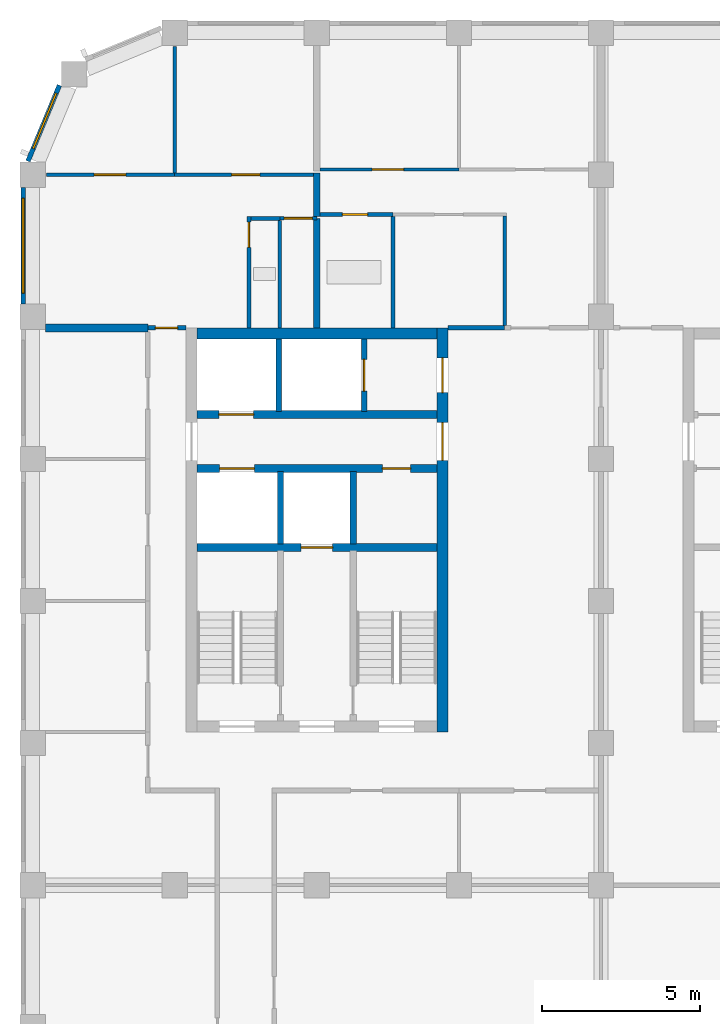
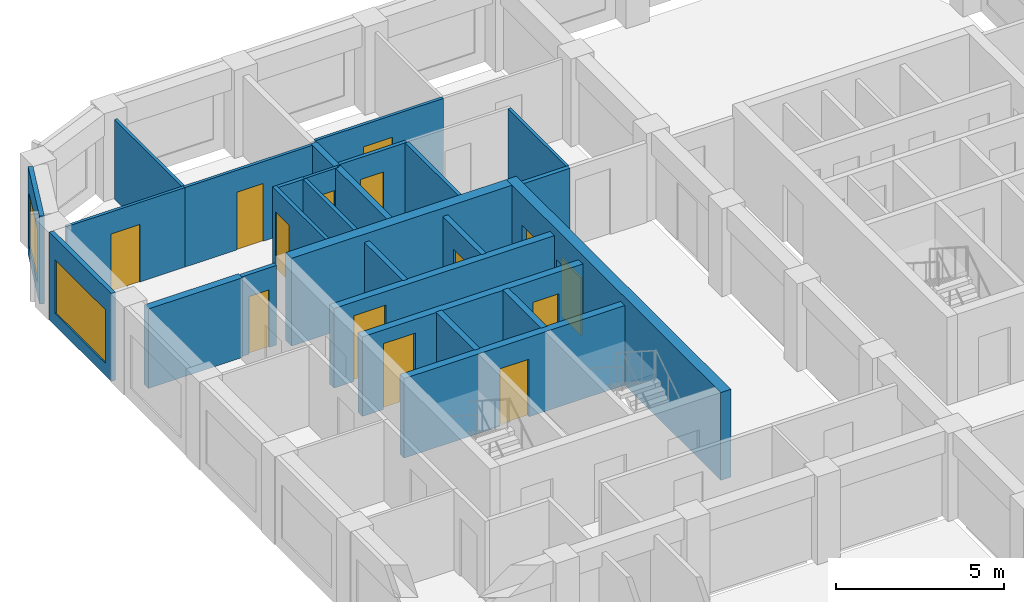
# One storey, part 5 of 9: 27 walls, 14 doors, 2 windows, 16 openings.
"""IFC4 building model written with IfcOpenShell, lengths in metres."""

from ifc_helpers import new_model, si_unit, direction, frame, frame_2d, origin, place, context, subcontext, project, spatial, rectangle, extrude, material, layer, layer_set, type_object, element, fill, save


model = new_model("IFC4")

# Units and contexts
model_context = context("Model", 3, precision=1e-05, world=origin(), true_north=direction((0.0, 1.0)))
body_context = subcontext(model_context, "Body", "Model", "MODEL_VIEW")
ifc_project = project(units=[si_unit("LENGTHUNIT", "METRE"), si_unit("AREAUNIT", "SQUARE_METRE"), si_unit("VOLUMEUNIT", "CUBIC_METRE"), si_unit("PLANEANGLEUNIT", "RADIAN"), si_unit("MASSUNIT", "GRAM", prefix="KILO")], contexts=[model_context])

# Site, building, storey
site_placement = place(None, origin())
site = spatial("IfcSite", under=ifc_project, at=site_placement, CompositionType="ELEMENT")
building_placement = place(site_placement, origin())
building = spatial("IfcBuilding", under=site, at=building_placement, Name="Girih Gate Residences", CompositionType="ELEMENT")
storey_placement = place(building_placement, frame((0.0, 0.0, 216.4951171875)))
storey = spatial("IfcBuildingStorey", under=building, at=storey_placement, Name="L60", CompositionType="ELEMENT", Elevation=216.4951171875)

# Wall
ifc_material_1 = material(Name="Gypsum board on steel studs", Category="steel")
ifc_layer_1 = layer(ifc_material_1, 0.25)
ifc_layer_set_1 = layer_set([ifc_layer_1], Name="Acoustic separating wall 250 mm")
wall_type_1 = type_object("IfcWallType", Name="Acoustic separating wall 250 mm", PredefinedType="PARTITIONING", material=ifc_layer_set_1)
wall_1_placement = place(storey_placement, frame((0.39990234375, 40.14990234375, 0.0), z_axis=(0.0, 0.0, 1.0), x_axis=(1.0, 0.0, 0.0)))
element("IfcWall", 1, at=wall_1_placement, inside=storey, type_object=wall_type_1, Name="L60 partition", PredefinedType="PARTITIONING", context=body_context, shape_type="SweptSolid", body=[
    extrude(rectangle(XDim=3.25, YDim=0.25, at=frame_2d((1.625, 0.0))), origin(), (0.0, 0.0, 1.0), 2.89990234375),
])

# Wall, opening, door
ifc_layer_2 = layer(ifc_material_1, 0.14990234375)
ifc_layer_set_2 = layer_set([ifc_layer_2], Name="Compartment wall 150 mm")
wall_type_2 = type_object("IfcWallType", Name="Compartment wall 150 mm", PredefinedType="PARTITIONING", material=ifc_layer_set_2)
wall_2_placement = place(storey_placement, frame((3.64990234375, 40.14990234375, 0.0), z_axis=(0.0, 0.0, 1.0), x_axis=(1.0, 0.0, 0.0)))
wall_2 = element("IfcWall", 2, at=wall_2_placement, inside=storey, type_object=wall_type_2, Name="L60 partition", PredefinedType="PARTITIONING", context=body_context, shape_type="SweptSolid", body=[
    extrude(rectangle(XDim=1.2001953125, YDim=0.14990234375, at=frame_2d((0.60009765625, 0.0))), origin(), (0.0, 0.0, 1.0), 2.89990234375),
])
opening_1_placement = place(wall_2_placement, frame((0.239990234375, 0.0, 0.0)))
opening_1 = element("IfcOpeningElement", 3, at=opening_1_placement, cuts=wall_2, Name="Opening A60-011", PredefinedType="OPENING", context=body_context, shape_type="SweptSolid", body=[
    extrude(rectangle(XDim=0.699951171875, YDim=2.10009765625, at=frame_2d((0.35009765625, 1.050048828125))), frame((0.0, 0.0849609375, 0.0), z_axis=(0.0, -1.0, 0.0), x_axis=(1.0, 0.0, 0.0)), (0.0, 0.0, 1.0), 0.169921875),
])
ifc_material_2 = material(Name="Timber", Category="wood")
door_type_1 = type_object("IfcDoorType", Name="Narrow door 700x2100", OperationType="NOTDEFINED", PredefinedType="DOOR", material=ifc_material_2)
door_1_placement = place(opening_1_placement, origin())
door_1 = element("IfcDoor", 4, at=door_1_placement, inside=storey, type_object=door_type_1, Name="Door A60-011", OperationType="SINGLE_SWING_LEFT", OverallHeight=2.10009765625, OverallWidth=0.699951171875, PredefinedType="DOOR", context=body_context, shape_type="SweptSolid", body=[
    extrude(rectangle(XDim=0.699951171875, YDim=2.10009765625, at=frame_2d((0.35009765625, 1.050048828125))), frame((0.0, 0.02490234375, 0.0), z_axis=(0.0, -1.0, 0.0), x_axis=(1.0, 0.0, 0.0)), (0.0, 0.0, 1.0), 0.050048828125),
])
fill(opening_1, door_1)

# Walls
wall_3_placement = place(storey_placement, frame((13.14990234375, 40.14990234375, 0.0), z_axis=(0.0, 0.0, 1.0), x_axis=(1.0, 0.0, 0.0)))
element("IfcWall", 5, at=wall_3_placement, inside=storey, type_object=wall_type_2, Name="L60 partition", PredefinedType="PARTITIONING", context=body_context, shape_type="SweptSolid", body=[
    extrude(rectangle(XDim=1.800048828125, YDim=0.14990234375, at=frame_2d((0.89990234375, 0.0))), origin(), (0.0, 0.0, 1.0), 2.89990234375),
])
ifc_material_3 = material(Name="Concrete C60/75", Category="concrete")
ifc_layer_3 = layer(ifc_material_3, 0.35009765625)
ifc_layer_set_3 = layer_set([ifc_layer_3], Name="Core wall RC 350 Concrete C60/75")
wall_type_3 = type_object("IfcWallType", Name="Core wall RC 350 Concrete C60/75", PredefinedType="SOLIDWALL", material=ifc_layer_set_3)
wall_4_placement = place(storey_placement, frame((5.199951171875, 39.97509765625, 0.0), z_axis=(0.0, 0.0, 1.0), x_axis=(1.0, 0.0, 0.0)))
element("IfcWall", 6, at=wall_4_placement, inside=storey, type_object=wall_type_3, Name="Core wall W-N L60", PredefinedType="SOLIDWALL", context=body_context, shape_type="SweptSolid", body=[
    extrude(rectangle(XDim=7.60009765625, YDim=0.35009765625, at=frame_2d((3.800048828125, 0.0))), origin(), (0.0, 0.0, 1.0), 3.199951171875),
])

# Wall, openings, doors
wall_5_placement = place(storey_placement, frame((12.97509765625, 27.35009765625, 0.0), z_axis=(0.0, 0.0, 1.0), x_axis=(0.0, 1.0, 0.0)))
wall_5 = element("IfcWall", 7, at=wall_5_placement, inside=storey, type_object=wall_type_3, Name="Core wall W-E L60", PredefinedType="SOLIDWALL", context=body_context, shape_type="SweptSolid", body=[
    extrude(rectangle(XDim=12.7998046875, YDim=0.35009765625, at=frame_2d((6.39990234375, 0.0))), origin(), (0.0, 0.0, 1.0), 3.199951171875),
])
opening_2_placement = place(wall_5_placement, frame((10.75, 0.0, 0.0)))
opening_2 = element("IfcOpeningElement", 8, at=opening_2_placement, cuts=wall_5, Name="Opening D-L60-W-011", PredefinedType="OPENING", context=body_context, shape_type="SweptSolid", body=[
    extrude(rectangle(XDim=1.10009765625, YDim=2.10009765625, at=frame_2d((0.550048828125, 1.050048828125))), frame((0.0, 0.18505859375, 0.0), z_axis=(0.0, -1.0, 0.0), x_axis=(1.0, 0.0, 0.0)), (0.0, 0.0, 1.0), 0.3701171875),
])
opening_3_placement = place(wall_5_placement, frame((8.60009765625, 0.0, 0.0)))
opening_3 = element("IfcOpeningElement", 9, at=opening_3_placement, cuts=wall_5, Name="Opening D-L60-W-013", PredefinedType="OPENING", context=body_context, shape_type="SweptSolid", body=[
    extrude(rectangle(XDim=1.199951171875, YDim=2.10009765625, at=frame_2d((0.60009765625, 1.050048828125))), frame((0.0, 0.18505859375, 0.0), z_axis=(0.0, -1.0, 0.0), x_axis=(1.0, 0.0, 0.0)), (0.0, 0.0, 1.0), 0.3701171875),
])
ifc_material_4 = material(Name="Painted steel, fire-resisting", Category="steel")
door_type_2 = type_object("IfcDoorType", Name="Fire door 1100x2100", OperationType="SINGLE_SWING_LEFT", PredefinedType="DOOR", material=ifc_material_4)
door_2_placement = place(opening_2_placement, origin())
door_2 = element("IfcDoor", 10, at=door_2_placement, inside=storey, type_object=door_type_2, Name="L60 W core door ffl2-e", OperationType="SINGLE_SWING_LEFT", OverallHeight=2.10009765625, OverallWidth=1.10009765625, PredefinedType="DOOR", context=body_context, shape_type="SweptSolid", body=[
    extrude(rectangle(XDim=1.10009765625, YDim=2.10009765625, at=frame_2d((0.550048828125, 1.050048828125))), frame((0.0, 0.02490234375, 0.0), z_axis=(0.0, -1.0, 0.0), x_axis=(1.0, 0.0, 0.0)), (0.0, 0.0, 1.0), 0.050048828125),
])
fill(opening_2, door_2)
door_type_3 = type_object("IfcDoorType", Name="Fire door 1200x2100", OperationType="SINGLE_SWING_LEFT", PredefinedType="DOOR", material=ifc_material_4)
door_3_placement = place(opening_3_placement, origin())
door_3 = element("IfcDoor", 11, at=door_3_placement, inside=storey, type_object=door_type_3, Name="L60 W core door ll-e", OperationType="SINGLE_SWING_LEFT", OverallHeight=2.10009765625, OverallWidth=1.199951171875, PredefinedType="DOOR", context=body_context, shape_type="SweptSolid", body=[
    extrude(rectangle(XDim=1.199951171875, YDim=2.10009765625, at=frame_2d((0.60009765625, 1.050048828125))), frame((0.0, 0.02490234375, 0.0), z_axis=(0.0, -1.0, 0.0), x_axis=(1.0, 0.0, 0.0)), (0.0, 0.0, 1.0), 0.050048828125),
])
fill(opening_3, door_3)

# Wall, opening, door
ifc_material_5 = material(Name="Concrete C40/50", Category="concrete")
ifc_layer_4 = layer(ifc_material_5, 0.25)
ifc_layer_set_4 = layer_set([ifc_layer_4], Name="Lift shaft wall 250")
wall_type_4 = type_object("IfcWallType", Name="Lift shaft wall 250", PredefinedType="SOLIDWALL", material=ifc_layer_set_4)
wall_6_placement = place(storey_placement, frame((5.199951171875, 33.199951171875, 0.0), z_axis=(0.0, 0.0, 1.0), x_axis=(1.0, 0.0, 0.0)))
wall_6 = element("IfcWall", 12, at=wall_6_placement, inside=storey, type_object=wall_type_4, Name="L60 W core wall H1", PredefinedType="SOLIDWALL", context=body_context, shape_type="SweptSolid", body=[
    extrude(rectangle(XDim=7.60009765625, YDim=0.25, at=frame_2d((3.800048828125, 0.0))), origin(), (0.0, 0.0, 1.0), 2.89990234375),
])
opening_4_placement = place(wall_6_placement, frame((3.300048828125, 0.0, 0.0)))
opening_4 = element("IfcOpeningElement", 13, at=opening_4_placement, cuts=wall_6, Name="Opening D-L60-W-006", PredefinedType="OPENING", context=body_context, shape_type="SweptSolid", body=[
    extrude(rectangle(XDim=1.0, YDim=2.10009765625, at=frame_2d((0.5, 1.050048828125))), frame((0.0, 0.135009765625, 0.0), z_axis=(0.0, -1.0, 0.0), x_axis=(1.0, 0.0, 0.0)), (0.0, 0.0, 1.0), 0.27001953125),
])
ifc_material_6 = material(Name="Stainless steel, fire-resisting", Category="steel")
door_type_4 = type_object("IfcDoorType", Name="Firefighting lift landing door 1000x2100", OperationType="SLIDING_TO_LEFT", PredefinedType="DOOR", material=ifc_material_6)
door_4_placement = place(opening_4_placement, origin())
door_4 = element("IfcDoor", 14, at=door_4_placement, inside=storey, type_object=door_type_4, Name="L60 lift FF-W landing door", OperationType="SLIDING_TO_LEFT", OverallHeight=2.10009765625, OverallWidth=1.0, PredefinedType="DOOR", context=body_context, shape_type="SweptSolid", body=[
    extrude(rectangle(XDim=1.0, YDim=2.10009765625, at=frame_2d((0.5, 1.050048828125))), frame((0.0, 0.02490234375, 0.0), z_axis=(0.0, -1.0, 0.0), x_axis=(1.0, 0.0, 0.0)), (0.0, 0.0, 1.0), 0.050048828125),
])
fill(opening_4, door_4)

# Wall, openings, doors
wall_7_placement = place(storey_placement, frame((5.199951171875, 35.699951171875, 0.0), z_axis=(0.0, 0.0, 1.0), x_axis=(1.0, 0.0, 0.0)))
wall_7 = element("IfcWall", 15, at=wall_7_placement, inside=storey, type_object=wall_type_4, Name="L60 W core wall H2", PredefinedType="SOLIDWALL", context=body_context, shape_type="SweptSolid", body=[
    extrude(rectangle(XDim=7.60009765625, YDim=0.25, at=frame_2d((3.800048828125, 0.0))), origin(), (0.0, 0.0, 1.0), 2.89990234375),
])
opening_5_placement = place(wall_7_placement, frame((0.72509765625, 0.0, 0.0)))
opening_5 = element("IfcOpeningElement", 16, at=opening_5_placement, cuts=wall_7, Name="Opening D-L60-W-005", PredefinedType="OPENING", context=body_context, shape_type="SweptSolid", body=[
    extrude(rectangle(XDim=1.10009765625, YDim=2.39990234375, at=frame_2d((0.550048828125, 1.199951171875))), frame((0.0, 0.135009765625, 0.0), z_axis=(0.0, -1.0, 0.0), x_axis=(1.0, 0.0, 0.0)), (0.0, 0.0, 1.0), 0.27001953125),
])
opening_6_placement = place(wall_7_placement, frame((5.875, 0.0, 0.0)))
opening_6 = element("IfcOpeningElement", 17, at=opening_6_placement, cuts=wall_7, Name="Opening D-L60-W-007", PredefinedType="OPENING", context=body_context, shape_type="SweptSolid", body=[
    extrude(rectangle(XDim=0.89990234375, YDim=2.10009765625, at=frame_2d((0.449951171875, 1.050048828125))), frame((0.0, 0.135009765625, 0.0), z_axis=(0.0, -1.0, 0.0), x_axis=(1.0, 0.0, 0.0)), (0.0, 0.0, 1.0), 0.27001953125),
])
door_type_5 = type_object("IfcDoorType", Name="Fire door 900x2100", OperationType="SINGLE_SWING_LEFT", PredefinedType="DOOR", material=ifc_material_4)
door_5_placement = place(opening_6_placement, origin())
door_5 = element("IfcDoor", 18, at=door_5_placement, inside=storey, type_object=door_type_5, Name="L60 W linen store door", OperationType="SINGLE_SWING_LEFT", OverallHeight=2.10009765625, OverallWidth=0.89990234375, PredefinedType="DOOR", context=body_context, shape_type="SweptSolid", body=[
    extrude(rectangle(XDim=0.89990234375, YDim=2.10009765625, at=frame_2d((0.449951171875, 1.050048828125))), frame((0.0, 0.02490234375, 0.0), z_axis=(0.0, -1.0, 0.0), x_axis=(1.0, 0.0, 0.0)), (0.0, 0.0, 1.0), 0.050048828125),
])
fill(opening_6, door_5)
ifc_material_7 = material(Name="Stainless steel", Category="steel")
door_type_6 = type_object("IfcDoorType", Name="Lift landing door 1100x2400", OperationType="SLIDING_TO_LEFT", PredefinedType="DOOR", material=ifc_material_7)
door_6_placement = place(opening_5_placement, origin())
door_6 = element("IfcDoor", 19, at=door_6_placement, inside=storey, type_object=door_type_6, Name="L60 lift HR-W1 landing door", OperationType="SLIDING_TO_LEFT", OverallHeight=2.39990234375, OverallWidth=1.10009765625, PredefinedType="DOOR", context=body_context, shape_type="SweptSolid", body=[
    extrude(rectangle(XDim=1.10009765625, YDim=2.39990234375, at=frame_2d((0.550048828125, 1.199951171875))), frame((0.0, 0.02490234375, 0.0), z_axis=(0.0, -1.0, 0.0), x_axis=(1.0, 0.0, 0.0)), (0.0, 0.0, 1.0), 0.050048828125),
])
fill(opening_5, door_6)

# Wall, opening, door
wall_8_placement = place(storey_placement, frame((5.199951171875, 37.39990234375, 0.0), z_axis=(0.0, 0.0, 1.0), x_axis=(1.0, 0.0, 0.0)))
wall_8 = element("IfcWall", 20, at=wall_8_placement, inside=storey, type_object=wall_type_4, Name="L60 W core wall H3", PredefinedType="SOLIDWALL", context=body_context, shape_type="SweptSolid", body=[
    extrude(rectangle(XDim=7.60009765625, YDim=0.25, at=frame_2d((3.800048828125, 0.0))), origin(), (0.0, 0.0, 1.0), 2.89990234375),
])
opening_7_placement = place(wall_8_placement, frame((0.699951171875, 0.0, 0.0)))
opening_7 = element("IfcOpeningElement", 21, at=opening_7_placement, cuts=wall_8, Name="Opening D-L60-W-003", PredefinedType="OPENING", context=body_context, shape_type="SweptSolid", body=[
    extrude(rectangle(XDim=1.10009765625, YDim=2.39990234375, at=frame_2d((0.550048828125, 1.199951171875))), frame((0.0, 0.135009765625, 0.0), z_axis=(0.0, -1.0, 0.0), x_axis=(1.0, 0.0, 0.0)), (0.0, 0.0, 1.0), 0.27001953125),
])
door_7_placement = place(opening_7_placement, origin())
door_7 = element("IfcDoor", 22, at=door_7_placement, inside=storey, type_object=door_type_6, Name="L60 lift LR-W1 landing door", OperationType="SLIDING_TO_LEFT", OverallHeight=2.39990234375, OverallWidth=1.10009765625, PredefinedType="DOOR", context=body_context, shape_type="SweptSolid", body=[
    extrude(rectangle(XDim=1.10009765625, YDim=2.39990234375, at=frame_2d((0.550048828125, 1.199951171875))), frame((0.0, 0.02490234375, 0.0), z_axis=(0.0, -1.0, 0.0), x_axis=(1.0, 0.0, 0.0)), (0.0, 0.0, 1.0), 0.050048828125),
])
fill(opening_7, door_7)

ifc_layer_5 = layer(ifc_material_1, 0.10009765625)
ifc_layer_set_5 = layer_set([ifc_layer_5], Name="Partition 100 mm")
wall_type_5 = type_object("IfcWallType", Name="Partition 100 mm", PredefinedType="PARTITIONING", material=ifc_layer_set_5)
wall_9_placement = place(storey_placement, frame((4.5, 45.0, 0.0), z_axis=(0.0, 0.0, 1.0), x_axis=(1.0, 0.0, 0.0)))
wall_9 = element("IfcWall", 23, at=wall_9_placement, inside=storey, type_object=wall_type_5, Name="L60 partition", PredefinedType="PARTITIONING", context=body_context, shape_type="SweptSolid", body=[
    extrude(rectangle(XDim=4.39990234375, YDim=0.10009765625, at=frame_2d((2.199951171875, 0.0))), origin(), (0.0, 0.0, 1.0), 2.89990234375),
])
opening_8_placement = place(wall_9_placement, frame((1.800048828125, 0.0, 0.0)))
opening_8 = element("IfcOpeningElement", 24, at=opening_8_placement, cuts=wall_9, Name="Opening A60-008", PredefinedType="OPENING", context=body_context, shape_type="SweptSolid", body=[
    extrude(rectangle(XDim=0.89990234375, YDim=2.10009765625, at=frame_2d((0.449951171875, 1.050048828125))), frame((0.0, 0.06005859375, 0.0), z_axis=(0.0, -1.0, 0.0), x_axis=(1.0, 0.0, 0.0)), (0.0, 0.0, 1.0), 0.1201171875),
])
door_type_7 = type_object("IfcDoorType", Name="Bedroom door 900x2100", OperationType="NOTDEFINED", PredefinedType="DOOR", material=ifc_material_2)
door_8_placement = place(opening_8_placement, origin())
door_8 = element("IfcDoor", 25, at=door_8_placement, inside=storey, type_object=door_type_7, Name="Door A60-008", OperationType="SINGLE_SWING_RIGHT", OverallHeight=2.10009765625, OverallWidth=0.89990234375, PredefinedType="DOOR", context=body_context, shape_type="SweptSolid", body=[
    extrude(rectangle(XDim=0.89990234375, YDim=2.10009765625, at=frame_2d((0.449951171875, 1.050048828125))), frame((0.0, 0.02490234375, 0.0), z_axis=(0.0, -1.0, 0.0), x_axis=(1.0, 0.0, 0.0)), (0.0, 0.0, 1.0), 0.050048828125),
])
fill(opening_8, door_8)

# Wall
wall_10_placement = place(storey_placement, frame((4.5, 45.050048828125, 0.0), z_axis=(0.0, 0.0, 1.0), x_axis=(0.0, 1.0, 0.0)))
element("IfcWall", 26, at=wall_10_placement, inside=storey, type_object=wall_type_5, Name="L60 partition", PredefinedType="PARTITIONING", context=body_context, shape_type="SweptSolid", body=[
    extrude(rectangle(XDim=4.01708984375, YDim=0.10009765625, at=frame_2d((2.008544921875, 0.0))), origin(), (0.0, 0.0, 1.0), 2.89990234375),
])

# Wall, opening, door
wall_11_placement = place(storey_placement, frame((9.0, 43.6201171875, 0.0), z_axis=(0.0, 0.0, 1.0), x_axis=(-1.0, 0.0, 0.0)))
wall_11 = element("IfcWall", 27, at=wall_11_placement, inside=storey, type_object=wall_type_5, Name="L60 partition", PredefinedType="PARTITIONING", context=body_context, shape_type="SweptSolid", body=[
    extrude(rectangle(XDim=1.172607421875, YDim=0.10009765625, at=frame_2d((0.58642578125, 0.0))), origin(), (0.0, 0.0, 1.0), 2.89990234375),
])
opening_9_placement = place(wall_11_placement, frame((0.136474609375, 0.0, 0.0)))
opening_9 = element("IfcOpeningElement", 28, at=opening_9_placement, cuts=wall_11, Name="Opening A60-009", PredefinedType="OPENING", context=body_context, shape_type="SweptSolid", body=[
    extrude(rectangle(XDim=0.89990234375, YDim=2.10009765625, at=frame_2d((0.449951171875, 1.050048828125))), frame((0.0, 0.06005859375, 0.0), z_axis=(0.0, -1.0, 0.0), x_axis=(1.0, 0.0, 0.0)), (0.0, 0.0, 1.0), 0.1201171875),
])
door_type_8 = type_object("IfcDoorType", Name="Kitchen door 900x2100", OperationType="NOTDEFINED", PredefinedType="DOOR", material=ifc_material_2)
door_9_placement = place(opening_9_placement, origin())
door_9 = element("IfcDoor", 29, at=door_9_placement, inside=storey, type_object=door_type_8, Name="Door A60-009", OperationType="SINGLE_SWING_RIGHT", OverallHeight=2.10009765625, OverallWidth=0.89990234375, PredefinedType="DOOR", context=body_context, shape_type="SweptSolid", body=[
    extrude(rectangle(XDim=0.89990234375, YDim=2.10009765625, at=frame_2d((0.449951171875, 1.050048828125))), frame((0.0, 0.02490234375, 0.0), z_axis=(0.0, -1.0, 0.0), x_axis=(1.0, 0.0, 0.0)), (0.0, 0.0, 1.0), 0.050048828125),
])
fill(opening_9, door_9)

wall_12_placement = place(storey_placement, frame((0.432861328125, 45.0, 0.0), z_axis=(0.0, 0.0, 1.0), x_axis=(1.0, 0.0, 0.0)))
wall_12 = element("IfcWall", 30, at=wall_12_placement, inside=storey, type_object=wall_type_5, Name="L60 partition", PredefinedType="PARTITIONING", context=body_context, shape_type="SweptSolid", body=[
    extrude(rectangle(XDim=4.067138671875, YDim=0.10009765625, at=frame_2d((2.03369140625, 0.0))), origin(), (0.0, 0.0, 1.0), 2.89990234375),
])
opening_10_placement = place(wall_12_placement, frame((1.51708984375, 0.0, 0.0)))
opening_10 = element("IfcOpeningElement", 31, at=opening_10_placement, cuts=wall_12, Name="Opening A60-010", PredefinedType="OPENING", context=body_context, shape_type="SweptSolid", body=[
    extrude(rectangle(XDim=1.0, YDim=2.10009765625, at=frame_2d((0.5, 1.050048828125))), frame((0.0, 0.06005859375, 0.0), z_axis=(0.0, -1.0, 0.0), x_axis=(1.0, 0.0, 0.0)), (0.0, 0.0, 1.0), 0.1201171875),
])
door_type_9 = type_object("IfcDoorType", Name="Living room door 1000x2100", OperationType="NOTDEFINED", PredefinedType="DOOR", material=ifc_material_2)
door_10_placement = place(opening_10_placement, origin())
door_10 = element("IfcDoor", 32, at=door_10_placement, inside=storey, type_object=door_type_9, Name="Door A60-010", OperationType="SINGLE_SWING_LEFT", OverallHeight=2.10009765625, OverallWidth=1.0, PredefinedType="DOOR", context=body_context, shape_type="SweptSolid", body=[
    extrude(rectangle(XDim=1.0, YDim=2.10009765625, at=frame_2d((0.5, 1.050048828125))), frame((0.0, 0.02490234375, 0.0), z_axis=(0.0, -1.0, 0.0), x_axis=(1.0, 0.0, 0.0)), (0.0, 0.0, 1.0), 0.050048828125),
])
fill(opening_10, door_10)

# Wall
wall_13_placement = place(storey_placement, frame((14.949951171875, 40.22509765625, 0.0), z_axis=(0.0, 0.0, 1.0), x_axis=(0.0, 1.0, 0.0)))
element("IfcWall", 33, at=wall_13_placement, inside=storey, type_object=wall_type_5, Name="L60 partition", PredefinedType="PARTITIONING", context=body_context, shape_type="SweptSolid", body=[
    extrude(rectangle(XDim=3.46484375, YDim=0.10009765625, at=frame_2d((1.732421875, 0.0))), origin(), (0.0, 0.0, 1.0), 2.89990234375),
])

# Wall, opening, door
wall_14_placement = place(storey_placement, frame((9.10009765625, 45.159912109375, 0.0), z_axis=(0.0, 0.0, 1.0), x_axis=(1.0, 0.0, 0.0)))
wall_14 = element("IfcWall", 34, at=wall_14_placement, inside=storey, type_object=wall_type_5, Name="L60 partition", PredefinedType="PARTITIONING", context=body_context, shape_type="SweptSolid", body=[
    extrude(rectangle(XDim=4.39990234375, YDim=0.10009765625, at=frame_2d((2.199951171875, 0.0))), origin(), (0.0, 0.0, 1.0), 2.89990234375),
])
opening_11_placement = place(wall_14_placement, frame((1.64990234375, 0.0, 0.0)))
opening_11 = element("IfcOpeningElement", 35, at=opening_11_placement, cuts=wall_14, Name="Opening A60-015", PredefinedType="OPENING", context=body_context, shape_type="SweptSolid", body=[
    extrude(rectangle(XDim=1.0, YDim=2.10009765625, at=frame_2d((0.5, 1.050048828125))), frame((0.0, 0.06005859375, 0.0), z_axis=(0.0, -1.0, 0.0), x_axis=(1.0, 0.0, 0.0)), (0.0, 0.0, 1.0), 0.1201171875),
])
door_11_placement = place(opening_11_placement, origin())
door_11 = element("IfcDoor", 36, at=door_11_placement, inside=storey, type_object=door_type_9, Name="Door A60-015", OperationType="SINGLE_SWING_LEFT", OverallHeight=2.10009765625, OverallWidth=1.0, PredefinedType="DOOR", context=body_context, shape_type="SweptSolid", body=[
    extrude(rectangle(XDim=1.0, YDim=2.10009765625, at=frame_2d((0.5, 1.050048828125))), frame((0.0, 0.02490234375, 0.0), z_axis=(0.0, -1.0, 0.0), x_axis=(1.0, 0.0, 0.0)), (0.0, 0.0, 1.0), 0.050048828125),
])
fill(opening_11, door_11)

# Walls
ifc_layer_6 = layer(ifc_material_1, 0.199951171875)
ifc_layer_set_6 = layer_set([ifc_layer_6], Name="Party wall 200 mm")
wall_type_6 = type_object("IfcWallType", Name="Party wall 200 mm", PredefinedType="PARTITIONING", material=ifc_layer_set_6)
wall_15_placement = place(storey_placement, frame((9.0, 43.677490234375, 0.0), z_axis=(0.0, 0.0, 1.0), x_axis=(0.0, 1.0, 0.0)))
element("IfcWall", 37, at=wall_15_placement, inside=storey, type_object=wall_type_6, Name="L60 partition", PredefinedType="PARTITIONING", context=body_context, shape_type="SweptSolid", body=[
    extrude(rectangle(XDim=1.37255859375, YDim=0.199951171875, at=frame_2d((0.686279296875, 0.0))), origin(), (0.0, 0.0, 1.0), 2.89990234375),
])
wall_16_placement = place(storey_placement, frame((9.0, 40.14990234375, 0.0), z_axis=(0.0, 0.0, 1.0), x_axis=(0.0, 1.0, 0.0)))
element("IfcWall", 38, at=wall_16_placement, inside=storey, type_object=wall_type_6, Name="L60 partition", PredefinedType="PARTITIONING", context=body_context, shape_type="SweptSolid", body=[
    extrude(rectangle(XDim=3.47021484375, YDim=0.199951171875, at=frame_2d((1.735107421875, 0.0))), origin(), (0.0, 0.0, 1.0), 2.89990234375),
])

# Wall, opening, window
ifc_material_8 = material(Name="Precast concrete C50/60", Category="concrete")
ifc_layer_7 = layer(ifc_material_8, 0.050048828125, Name="Outer leaf")
ifc_material_9 = material(Name="Rigid PIR insulation")
ifc_layer_8 = layer(ifc_material_9, 0.06005859375, Name="Insulation")
ifc_material_10 = material(Name="Precast concrete C40/50", Category="concrete")
ifc_layer_9 = layer(ifc_material_10, 0.0400390625, Name="Inner leaf")
ifc_layer_set_7 = layer_set([ifc_layer_7, ifc_layer_8, ifc_layer_9], Name="Precast concrete C50/60 external wall 150")
wall_type_7 = type_object("IfcWallType", Name="Precast concrete C50/60 external wall 150", PredefinedType="SOLIDWALL", material=ifc_layer_set_7)
wall_17_placement = place(storey_placement, frame((-0.147216796875, 45.4287109375, 0.0), z_axis=(0.0, 0.0, 1.0), x_axis=(0.382669406082, 0.923885342263, 0.0)))
wall_17 = element("IfcWall", 39, at=wall_17_placement, inside=storey, type_object=wall_type_7, Name="External wall NW0013_0482.0", PredefinedType="SOLIDWALL", context=body_context, shape_type="SweptSolid", body=[
    extrude(rectangle(XDim=2.602294921875, YDim=0.14990234375, at=frame_2d((1.30126953125, 0.0))), origin(), (0.0, 0.0, 1.0), 3.199951171875),
])
opening_12_placement = place(wall_17_placement, frame((0.432373046875, 0.0, 0.449951171875)))
opening_12 = element("IfcOpeningElement", 40, at=opening_12_placement, cuts=wall_17, Name="Opening W-2G", PredefinedType="OPENING", context=body_context, shape_type="SweptSolid", body=[
    extrude(rectangle(XDim=1.89990234375, YDim=1.949951171875, at=frame_2d((0.949951171875, 0.97509765625))), frame((0.0, 0.0849609375, 0.0), z_axis=(0.0, -1.0, 0.0), x_axis=(1.0, 0.0, 0.0)), (0.0, 0.0, 1.0), 0.169921875),
])
ifc_material_11 = material(Name="Double glazing in aluminium frame", Category="aluminium")
window_type_1 = type_object("IfcWindowType", Name="Window W-2G 1900x1950", PartitioningType="SINGLE_PANEL", PredefinedType="WINDOW", material=ifc_material_11)
window_1_placement = place(opening_12_placement, origin())
window_1 = element("IfcWindow", 41, at=window_1_placement, inside=storey, type_object=window_type_1, Name="Window W-2G NW0013_0482.0", OverallHeight=1.949951171875, OverallWidth=1.89990234375, PartitioningType="SINGLE_PANEL", PredefinedType="WINDOW", context=body_context, shape_type="SweptSolid", body=[
    extrude(rectangle(XDim=1.89990234375, YDim=1.949951171875, at=frame_2d((0.949951171875, 0.97509765625))), frame((0.0, 0.030029296875, 0.0), z_axis=(0.0, -1.0, 0.0), x_axis=(1.0, 0.0, 0.0)), (0.0, 0.0, 1.0), 0.06005859375),
])
fill(opening_12, window_1)

wall_18_placement = place(storey_placement, frame((-0.300048828125, 40.89990234375, 0.0), z_axis=(0.0, 0.0, 1.0), x_axis=(0.0, 1.0, 0.0)))
wall_18 = element("IfcWall", 42, at=wall_18_placement, inside=storey, type_object=wall_type_7, Name="External wall W0000_0450.0", PredefinedType="SOLIDWALL", context=body_context, shape_type="SweptSolid", body=[
    extrude(rectangle(XDim=3.7001953125, YDim=0.14990234375, at=frame_2d((1.85009765625, 0.0))), origin(), (0.0, 0.0, 1.0), 3.199951171875),
])
opening_13_placement = place(wall_18_placement, frame((0.35009765625, 0.0, 0.449951171875)))
opening_13 = element("IfcOpeningElement", 43, at=opening_13_placement, cuts=wall_18, Name="Opening W-1D", PredefinedType="OPENING", context=body_context, shape_type="SweptSolid", body=[
    extrude(rectangle(XDim=3.0, YDim=1.949951171875, at=frame_2d((1.5, 0.97509765625))), frame((0.0, 0.0849609375, 0.0), z_axis=(0.0, -1.0, 0.0), x_axis=(1.0, 0.0, 0.0)), (0.0, 0.0, 1.0), 0.169921875),
])
window_type_2 = type_object("IfcWindowType", Name="Window W-1D 3000x1950", PartitioningType="SINGLE_PANEL", PredefinedType="WINDOW", material=ifc_material_11)
window_2_placement = place(opening_13_placement, origin())
window_2 = element("IfcWindow", 44, at=window_2_placement, inside=storey, type_object=window_type_2, Name="Window W-1D W0000_0450.0", OverallHeight=1.949951171875, OverallWidth=3.0, PartitioningType="SINGLE_PANEL", PredefinedType="WINDOW", context=body_context, shape_type="SweptSolid", body=[
    extrude(rectangle(XDim=3.0, YDim=1.949951171875, at=frame_2d((1.5, 0.97509765625))), frame((0.0, 0.030029296875, 0.0), z_axis=(0.0, -1.0, 0.0), x_axis=(1.0, 0.0, 0.0)), (0.0, 0.0, 1.0), 0.06005859375),
])
fill(opening_13, window_2)

# Wall
ifc_layer_10 = layer(ifc_material_5, 0.175048828125)
ifc_layer_set_8 = layer_set([ifc_layer_10], Name="Riser shaft wall 175")
wall_type_8 = type_object("IfcWallType", Name="Riser shaft wall 175", PredefinedType="SOLIDWALL", material=ifc_layer_set_8)
wall_19_placement = place(storey_placement, frame((7.800048828125, 37.5, 0.0), z_axis=(0.0, 0.0, 1.0), x_axis=(0.0, 1.0, 0.0)))
element("IfcWall", 45, at=wall_19_placement, inside=storey, type_object=wall_type_8, Name="L60 W core wall V1c", PredefinedType="SOLIDWALL", context=body_context, shape_type="SweptSolid", body=[
    extrude(rectangle(XDim=2.300048828125, YDim=0.175048828125, at=frame_2d((1.14990234375, 0.0))), origin(), (0.0, 0.0, 1.0), 2.89990234375),
])

# Wall, opening, door
wall_20_placement = place(storey_placement, frame((10.5, 37.5, 0.0), z_axis=(0.0, 0.0, 1.0), x_axis=(0.0, 1.0, 0.0)))
wall_20 = element("IfcWall", 46, at=wall_20_placement, inside=storey, type_object=wall_type_8, Name="L60 W core wall V2c", PredefinedType="SOLIDWALL", context=body_context, shape_type="SweptSolid", body=[
    extrude(rectangle(XDim=2.300048828125, YDim=0.175048828125, at=frame_2d((1.14990234375, 0.0))), origin(), (0.0, 0.0, 1.0), 2.89990234375),
])
opening_14_placement = place(wall_20_placement, frame((0.64990234375, 0.0, 0.0)))
opening_14 = element("IfcOpeningElement", 47, at=opening_14_placement, cuts=wall_20, Name="Opening D-L60-W-004", PredefinedType="OPENING", context=body_context, shape_type="SweptSolid", body=[
    extrude(rectangle(XDim=1.0, YDim=2.10009765625, at=frame_2d((0.5, 1.050048828125))), frame((0.0, 0.097412109375, 0.0), z_axis=(0.0, -1.0, 0.0), x_axis=(1.0, 0.0, 0.0)), (0.0, 0.0, 1.0), 0.195068359375),
])
door_12_placement = place(opening_14_placement, origin())
door_12 = element("IfcDoor", 48, at=door_12_placement, inside=storey, type_object=door_type_4, Name="L60 lift FF-W2 landing door", OperationType="SLIDING_TO_LEFT", OverallHeight=2.10009765625, OverallWidth=1.0, PredefinedType="DOOR", context=body_context, shape_type="SweptSolid", body=[
    extrude(rectangle(XDim=1.0, YDim=2.10009765625, at=frame_2d((0.5, 1.050048828125))), frame((0.0, 0.02490234375, 0.0), z_axis=(0.0, -1.0, 0.0), x_axis=(1.0, 0.0, 0.0)), (0.0, 0.0, 1.0), 0.050048828125),
])
fill(opening_14, door_12)

# Walls
ifc_layer_11 = layer(ifc_material_5, 0.199951171875)
ifc_layer_set_9 = layer_set([ifc_layer_11], Name="Shaft wall 200")
wall_type_9 = type_object("IfcWallType", Name="Shaft wall 200", PredefinedType="SOLIDWALL", material=ifc_layer_set_9)
for number, where, z_axis, x_axis, name in (
    (49, (7.85009765625, 33.300048828125, 0.0), (0.0, 0.0, 1.0), (0.0, 1.0, 0.0), "L60 W core wall V1b"),
    (50, (10.14990234375, 33.300048828125, 0.0), (0.0, 0.0, 1.0), (0.0, 1.0, 0.0), "L60 W core wall V2b"),
):
    element("IfcWall", number, at=place(storey_placement, frame(where, z_axis=z_axis, x_axis=x_axis)), inside=storey, type_object=wall_type_9, Name=name, PredefinedType="SOLIDWALL", context=body_context, shape_type="SweptSolid", body=[
        extrude(rectangle(XDim=2.300048828125, YDim=0.199951171875, at=frame_2d((1.14990234375, 0.0))), origin(), (0.0, 0.0, 1.0), 2.89990234375),
    ])

# Wall, opening, door
ifc_layer_12 = layer(ifc_material_1, 0.125)
ifc_layer_set_10 = layer_set([ifc_layer_12], Name="Wet room wall 125 mm")
wall_type_10 = type_object("IfcWallType", Name="Wet room wall 125 mm", PredefinedType="PARTITIONING", material=ifc_layer_set_10)
wall_21_placement = place(storey_placement, frame((6.85009765625, 43.6826171875, 0.0), z_axis=(0.0, 0.0, 1.0), x_axis=(0.0, -1.0, 0.0)))
wall_21 = element("IfcWall", 51, at=wall_21_placement, inside=storey, type_object=wall_type_10, Name="L60 partition", PredefinedType="PARTITIONING", context=body_context, shape_type="SweptSolid", body=[
    extrude(rectangle(XDim=3.53271484375, YDim=0.125, at=frame_2d((1.766357421875, 0.0))), origin(), (0.0, 0.0, 1.0), 2.89990234375),
])
opening_15_placement = place(wall_21_placement, frame((0.1826171875, 0.0, 0.0)))
opening_15 = element("IfcOpeningElement", 52, at=opening_15_placement, cuts=wall_21, Name="Opening A60-007", PredefinedType="OPENING", context=body_context, shape_type="SweptSolid", body=[
    extrude(rectangle(XDim=0.800048828125, YDim=2.10009765625, at=frame_2d((0.39990234375, 1.050048828125))), frame((0.0, 0.072509765625, 0.0), z_axis=(0.0, -1.0, 0.0), x_axis=(1.0, 0.0, 0.0)), (0.0, 0.0, 1.0), 0.14501953125),
])
door_type_10 = type_object("IfcDoorType", Name="Bathroom door 800x2100", OperationType="NOTDEFINED", PredefinedType="DOOR", material=ifc_material_2)
door_13_placement = place(opening_15_placement, origin())
door_13 = element("IfcDoor", 53, at=door_13_placement, inside=storey, type_object=door_type_10, Name="Door A60-007", OperationType="SINGLE_SWING_LEFT", OverallHeight=2.10009765625, OverallWidth=0.800048828125, PredefinedType="DOOR", context=body_context, shape_type="SweptSolid", body=[
    extrude(rectangle(XDim=0.800048828125, YDim=2.10009765625, at=frame_2d((0.39990234375, 1.050048828125))), frame((0.0, 0.02490234375, 0.0), z_axis=(0.0, -1.0, 0.0), x_axis=(1.0, 0.0, 0.0)), (0.0, 0.0, 1.0), 0.050048828125),
])
fill(opening_15, door_13)

# Walls
wall_22_placement = place(storey_placement, frame((6.91259765625, 43.6201171875, 0.0), z_axis=(0.0, 0.0, 1.0), x_axis=(1.0, 0.0, 0.0)))
element("IfcWall", 54, at=wall_22_placement, inside=storey, type_object=wall_type_10, Name="L60 partition", PredefinedType="PARTITIONING", context=body_context, shape_type="SweptSolid", body=[
    extrude(rectangle(XDim=0.914794921875, YDim=0.125, at=frame_2d((0.45751953125, 0.0))), origin(), (0.0, 0.0, 1.0), 2.89990234375),
])
wall_23_placement = place(storey_placement, frame((7.826904296875, 40.14990234375, 0.0), z_axis=(0.0, 0.0, 1.0), x_axis=(0.0, 1.0, 0.0)))
element("IfcWall", 55, at=wall_23_placement, inside=storey, type_object=wall_type_10, Name="L60 partition", PredefinedType="PARTITIONING", context=body_context, shape_type="SweptSolid", body=[
    extrude(rectangle(XDim=3.40771484375, YDim=0.125, at=frame_2d((1.703857421875, 0.0))), origin(), (0.0, 0.0, 1.0), 2.89990234375),
])

# Wall, opening, door
wall_24_placement = place(storey_placement, frame((11.418212890625, 43.739990234375, 0.0), z_axis=(0.0, 0.0, 1.0), x_axis=(-1.0, 0.0, 0.0)))
wall_24 = element("IfcWall", 56, at=wall_24_placement, inside=storey, type_object=wall_type_10, Name="L60 partition", PredefinedType="PARTITIONING", context=body_context, shape_type="SweptSolid", body=[
    extrude(rectangle(XDim=2.318115234375, YDim=0.125, at=frame_2d((1.1591796875, 0.0))), origin(), (0.0, 0.0, 1.0), 2.89990234375),
])
opening_16_placement = place(wall_24_placement, frame((0.80908203125, 0.0, 0.0)))
opening_16 = element("IfcOpeningElement", 57, at=opening_16_placement, cuts=wall_24, Name="Opening A60-012", PredefinedType="OPENING", context=body_context, shape_type="SweptSolid", body=[
    extrude(rectangle(XDim=0.800048828125, YDim=2.10009765625, at=frame_2d((0.39990234375, 1.050048828125))), frame((0.0, 0.072509765625, 0.0), z_axis=(0.0, -1.0, 0.0), x_axis=(1.0, 0.0, 0.0)), (0.0, 0.0, 1.0), 0.14501953125),
])
door_14_placement = place(opening_16_placement, origin())
door_14 = element("IfcDoor", 58, at=door_14_placement, inside=storey, type_object=door_type_10, Name="Door A60-012", OperationType="SINGLE_SWING_RIGHT", OverallHeight=2.10009765625, OverallWidth=0.800048828125, PredefinedType="DOOR", context=body_context, shape_type="SweptSolid", body=[
    extrude(rectangle(XDim=0.800048828125, YDim=2.10009765625, at=frame_2d((0.39990234375, 1.050048828125))), frame((0.0, 0.02490234375, 0.0), z_axis=(0.0, -1.0, 0.0), x_axis=(1.0, 0.0, 0.0)), (0.0, 0.0, 1.0), 0.050048828125),
])
fill(opening_16, door_14)

# Wall
wall_25_placement = place(storey_placement, frame((11.41796875, 40.14990234375, 0.0), z_axis=(0.0, 0.0, 1.0), x_axis=(0.0, 1.0, 0.0)))
element("IfcWall", 59, at=wall_25_placement, inside=storey, type_object=wall_type_10, Name="L60 partition", PredefinedType="PARTITIONING", context=body_context, shape_type="SweptSolid", body=[
    extrude(rectangle(XDim=3.527587890625, YDim=0.125, at=frame_2d((1.763671875, 0.0))), origin(), (0.0, 0.0, 1.0), 2.89990234375),
])

save(model, "model.ifc")
